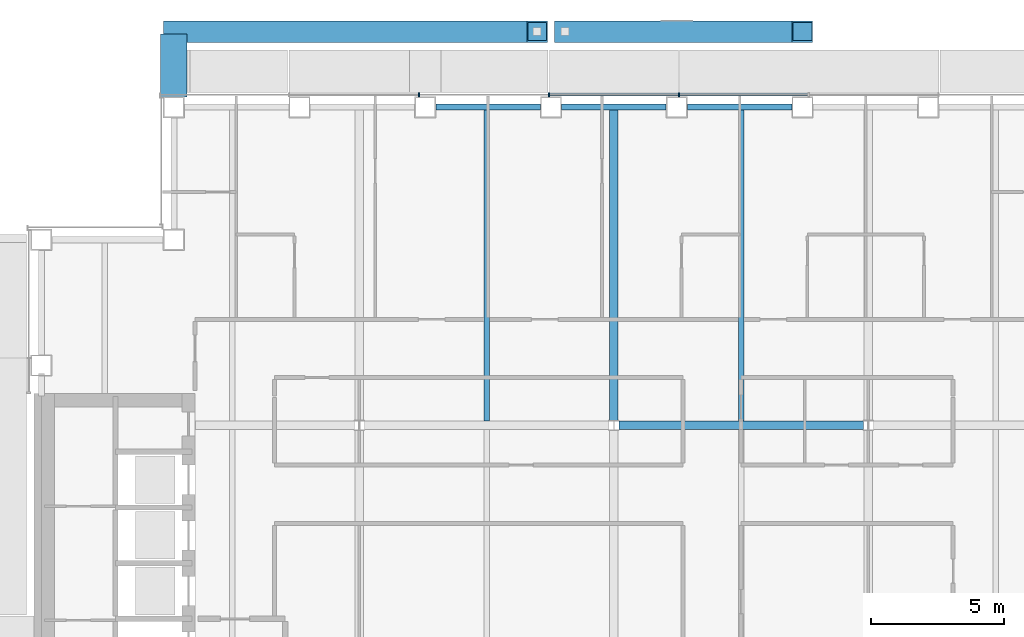
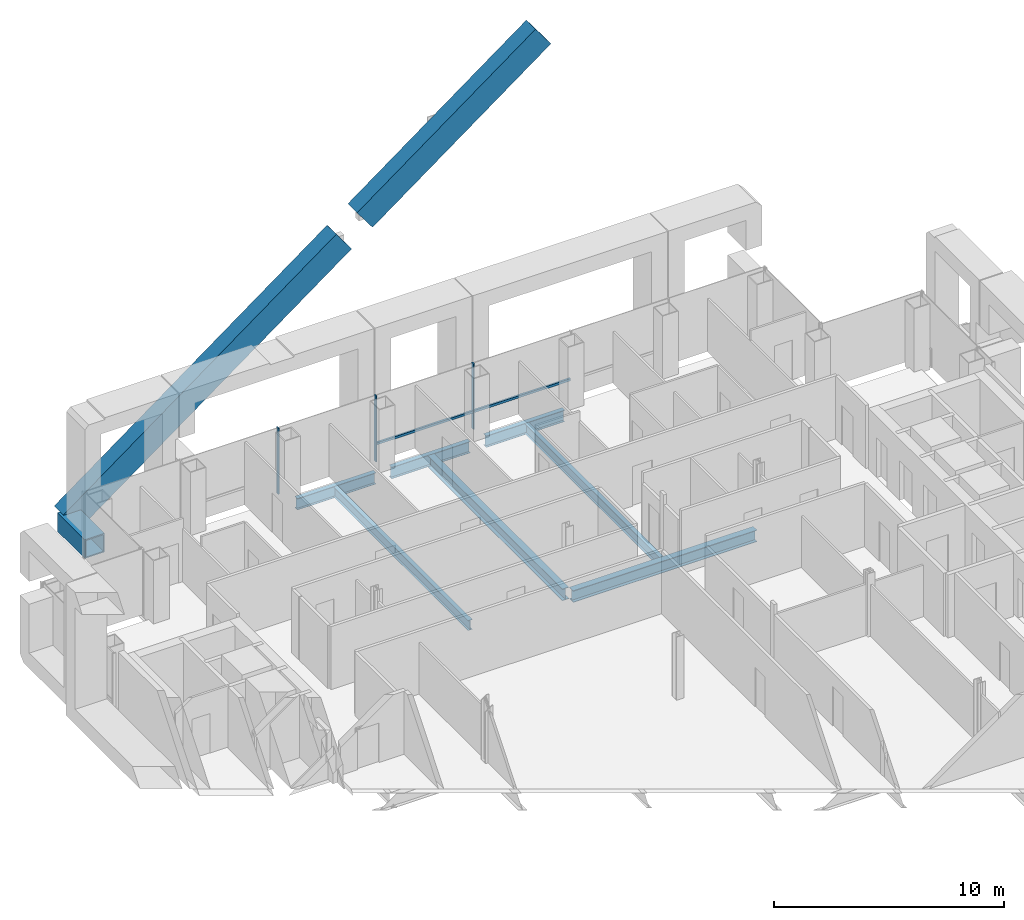
# One storey, part 9 of 22: 8 beams, 7 members, 1 element without a shape of its own.
"""IFC4 building model written with IfcOpenShell, lengths in metres."""

from ifc_helpers import new_model, si_unit, direction, frame, origin, origin_2d, place, context, subcontext, project, spatial, rectangle, hollow_rectangle, i_section, extrude, material, material_profile, profile_set, type_object, element, aggregate, save


model = new_model("IFC4")

# Units and contexts
model_context = context("Model", 3, precision=1e-05, world=origin(), true_north=direction((0.0, 1.0)))
body_context = subcontext(model_context, "Body", "Model", "MODEL_VIEW")
ifc_project = project(units=[si_unit("LENGTHUNIT", "METRE"), si_unit("AREAUNIT", "SQUARE_METRE"), si_unit("VOLUMEUNIT", "CUBIC_METRE"), si_unit("PLANEANGLEUNIT", "RADIAN"), si_unit("MASSUNIT", "GRAM", prefix="KILO")], contexts=[model_context])

# Site, building, storey
site_placement = place(None, origin())
site = spatial("IfcSite", under=ifc_project, at=site_placement, CompositionType="ELEMENT")
building_placement = place(site_placement, origin())
building = spatial("IfcBuilding", under=site, at=building_placement, Name="Cobrizo Arcos Hotel Tower", CompositionType="ELEMENT")
storey_placement = place(building_placement, frame((0.0, 0.0, 162.0)))
storey = spatial("IfcBuildingStorey", under=building, at=storey_placement, Name="L41", CompositionType="ELEMENT", Elevation=162.0)

# Beam
ifc_material_1 = material(Name="Steel ASTM A572 Grade 50", Category="steel")
ifc_material_profile_1 = material_profile(ifc_material_1, hollow_rectangle(XDim=1.0, YDim=1.0, WallThickness=0.06005859375, at=origin_2d()), Name="BOX 1000X1000X60")
ifc_profile_set_1 = profile_set([ifc_material_profile_1], Name="Steel ASTM A572 Grade 50")
beam_type_1 = type_object("IfcBeamType", Name="BOX 1000X1000X60 brace connector strut", PredefinedType="BEAM", material=ifc_profile_set_1)
beam_1_placement = place(storey_placement, frame((-16.60009765625, 21.989990234375, 0.5), z_axis=(0.0, 1.0, 0.0), x_axis=(-1.0, 0.0, 0.0)))
element("IfcBeam", 1, at=beam_1_placement, inside=storey, type_object=beam_type_1, Name="Perimeter brace stub BS1, zone Z3, north face, offset -16.60 m, L41", PredefinedType="BEAM", context=body_context, shape_type="SweptSolid", body=[
    extrude(hollow_rectangle(XDim=1.0, YDim=1.0, WallThickness=0.06005859375, at=origin_2d()), origin(), (0.0, 0.0, 1.0), 2.380126953125),
])

# Members
ifc_material_profile_2 = material_profile(ifc_material_1, hollow_rectangle(XDim=0.800048828125, YDim=1.300048828125, WallThickness=0.06005859375, at=origin_2d()), Name="BOX 800X1300X60")
ifc_profile_set_2 = profile_set([ifc_material_profile_2], Name="Steel ASTM A572 Grade 50")
member_type_1 = type_object("IfcMemberType", Name="BOX 800X1300X60 perimeter brace", PredefinedType="BRACE", material=ifc_profile_set_2)
member_1_placement = place(storey_placement, frame((-16.60009765625, 24.449951171875, 0.5), z_axis=(0.804630166974, 0.0, 0.593776299961), x_axis=(0.0, 1.0, 0.0)))
element("IfcMember", 2, at=member_1_placement, inside=storey, type_object=member_type_1, Name="Perimeter brace PBR3, zone Z3, north face, no. 09", PredefinedType="BRACE", context=body_context, shape_type="SweptSolid", body=[
    extrude(hollow_rectangle(XDim=0.800048828125, YDim=1.300048828125, WallThickness=0.06005859375, at=origin_2d()), origin(), (0.0, 0.0, 1.0), 17.033447265625),
])
member_2_placement = place(storey_placement, frame((-1.84814453125, 24.449951171875, 11.385986328125), z_axis=(0.804620954099, 0.0, 0.593788784186), x_axis=(0.0, 1.0, 0.0)))
element("IfcMember", 3, at=member_2_placement, inside=storey, type_object=member_type_1, Name="Perimeter brace PBR3, zone Z3, north face, no. 09b", PredefinedType="BRACE", context=body_context, shape_type="SweptSolid", body=[
    extrude(hollow_rectangle(XDim=0.800048828125, YDim=1.300048828125, WallThickness=0.06005859375, at=origin_2d()), origin(), (0.0, 0.0, 1.0), 11.138671875),
])

# Curtain wall, members
ifc_material_2 = material(Name="Aluminium 6063-T6 anodised bronze", Category="aluminium")
curtain_wall_type = type_object("IfcCurtainWallType", Name="CW-A guest facade", PredefinedType="NOTDEFINED", material=ifc_material_2)
curtain_wall_placement = place(storey_placement, origin())
curtain_wall = element("IfcCurtainWall", 4, at=curtain_wall_placement, inside=storey, type_object=curtain_wall_type, Name="CW-A L41 N face", PredefinedType="NOTDEFINED")
ifc_material_profile_3 = material_profile(ifc_material_2, rectangle(XDim=0.14990234375, YDim=0.06005859375, at=origin_2d()), Name="CW-A mullion 150x60")
ifc_profile_set_3 = profile_set([ifc_material_profile_3], Name="Aluminium 6063-T6 anodised bronze")
member_type_2 = type_object("IfcMemberType", Name="CW-A mullion 150x60", PredefinedType="MULLION", material=ifc_profile_set_3)
member_3_placement = place(storey_placement, frame((2.449951171875, 22.074951171875, 0.0), z_axis=(0.0, 0.0, 1.0), x_axis=(0.0, 1.0, 0.0)))
member_3 = element("IfcMember", 5, at=member_3_placement, type_object=member_type_2, Name="CW-A mullion 4", PredefinedType="MULLION", context=body_context, shape_type="SweptSolid", body=[
    extrude(rectangle(XDim=0.14990234375, YDim=0.06005859375, at=origin_2d()), origin(), (0.0, 0.0, 1.0), 3.5),
])
member_4_placement = place(storey_placement, frame((-2.449951171875, 22.074951171875, 0.0), z_axis=(0.0, 0.0, 1.0), x_axis=(0.0, 1.0, 0.0)))
member_4 = element("IfcMember", 6, at=member_4_placement, type_object=member_type_2, Name="CW-A mullion 5", PredefinedType="MULLION", context=body_context, shape_type="SweptSolid", body=[
    extrude(rectangle(XDim=0.14990234375, YDim=0.06005859375, at=origin_2d()), origin(), (0.0, 0.0, 1.0), 3.5),
])
member_5_placement = place(storey_placement, frame((-7.35009765625, 22.074951171875, 0.0), z_axis=(0.0, 0.0, 1.0), x_axis=(0.0, 1.0, 0.0)))
member_5 = element("IfcMember", 7, at=member_5_placement, type_object=member_type_2, Name="CW-A mullion 6", PredefinedType="MULLION", context=body_context, shape_type="SweptSolid", body=[
    extrude(rectangle(XDim=0.14990234375, YDim=0.06005859375, at=origin_2d()), origin(), (0.0, 0.0, 1.0), 3.5),
])
ifc_material_profile_4 = material_profile(ifc_material_2, rectangle(XDim=0.10009765625, YDim=0.1201171875, at=origin_2d()), Name="CW-A transom 120x100")
ifc_profile_set_4 = profile_set([ifc_material_profile_4], Name="Aluminium 6063-T6 anodised bronze")
member_type_3 = type_object("IfcMemberType", Name="CW-A transom 120x100", PredefinedType="USERDEFINED", material=ifc_profile_set_4)
member_6_placement = place(storey_placement, frame((7.320068359375, 22.074951171875, 0.929931640625), z_axis=(-1.0, 0.0, 0.0), x_axis=(0.0, -1.0, 0.0)))
member_6 = element("IfcMember", 8, at=member_6_placement, type_object=member_type_3, Name="CW-A transom 1473", ObjectType="TRANSOM", PredefinedType="USERDEFINED", context=body_context, shape_type="SweptSolid", body=[
    extrude(rectangle(XDim=0.10009765625, YDim=0.1201171875, at=origin_2d()), origin(), (0.0, 0.0, 1.0), 4.840087890625),
])
member_7_placement = place(storey_placement, frame((2.419921875, 22.074951171875, 0.929931640625), z_axis=(-1.0, 0.0, 0.0), x_axis=(0.0, -1.0, 0.0)))
member_7 = element("IfcMember", 9, at=member_7_placement, type_object=member_type_3, Name="CW-A transom 1474", ObjectType="TRANSOM", PredefinedType="USERDEFINED", context=body_context, shape_type="SweptSolid", body=[
    extrude(rectangle(XDim=0.10009765625, YDim=0.1201171875, at=origin_2d()), origin(), (0.0, 0.0, 1.0), 4.83984375),
])
aggregate(curtain_wall, [member_3, member_4, member_5, member_6, member_7])

# Beams
ifc_material_3 = material(Name="Steel ASTM A992 Grade 50", Category="steel")
ifc_material_profile_5 = material_profile(ifc_material_3, i_section(OverallWidth=0.209228515625, OverallDepth=0.533447265625, WebThickness=0.01025390625, FlangeThickness=0.015625, at=origin_2d()), Name="W21X62")
ifc_profile_set_5 = profile_set([ifc_material_profile_5], Name="Steel ASTM A992 Grade 50")
beam_type_2 = type_object("IfcBeamType", Name="W21X62 joist", PredefinedType="JOIST", material=ifc_profile_set_5)
for number, where, z_axis, x_axis, name in (
    (10, (-4.800048828125, 9.763916015625, -0.416748046875), (0.0, 1.0, 0.0), (-1.0, 0.0, 0.0), "Floor joist J1, L41, no. 010"),
    (11, (4.800048828125, 9.763916015625, -0.416748046875), (0.0, 1.0, 0.0), (-1.0, 0.0, 0.0), "Floor joist J1, L41, no. 014"),
):
    element("IfcBeam", number, at=place(storey_placement, frame(where, z_axis=z_axis, x_axis=x_axis)), inside=storey, type_object=beam_type_2, Name=name, PredefinedType="JOIST", context=body_context, shape_type="SweptSolid", body=[
        extrude(i_section(OverallWidth=0.209228515625, OverallDepth=0.533447265625, WebThickness=0.01025390625, FlangeThickness=0.015625, at=origin_2d()), origin(), (0.0, 0.0, 1.0), 11.74609375),
    ])
ifc_material_profile_6 = material_profile(ifc_material_3, i_section(OverallWidth=0.32763671875, OverallDepth=0.622314453125, WebThickness=0.015380859375, FlangeThickness=0.0244140625, at=origin_2d()), Name="W24X131")
ifc_profile_set_6 = profile_set([ifc_material_profile_6], Name="Steel ASTM A992 Grade 50")
beam_type_3 = type_object("IfcBeamType", Name="W24X131 girder", PredefinedType="BEAM", material=ifc_profile_set_6)
beam_2_placement = place(storey_placement, frame((0.186767578125, 9.60009765625, -0.461181640625), z_axis=(1.0, 0.0, 0.0), x_axis=(0.0, 1.0, 0.0)))
element("IfcBeam", 12, at=beam_2_placement, inside=storey, type_object=beam_type_3, Name="Floor girder G1, L41, no. 011", PredefinedType="BEAM", context=body_context, shape_type="SweptSolid", body=[
    extrude(i_section(OverallWidth=0.32763671875, OverallDepth=0.622314453125, WebThickness=0.015380859375, FlangeThickness=0.0244140625, at=origin_2d()), origin(), (0.0, 0.0, 1.0), 9.2265625),
])
beam_3_placement = place(storey_placement, frame((0.0, 9.78662109375, -0.461181640625), z_axis=(0.0, 1.0, 0.0), x_axis=(-1.0, 0.0, 0.0)))
element("IfcBeam", 13, at=beam_3_placement, inside=storey, type_object=beam_type_3, Name="Floor girder G1, L41, no. 020", PredefinedType="BEAM", context=body_context, shape_type="SweptSolid", body=[
    extrude(i_section(OverallWidth=0.32763671875, OverallDepth=0.622314453125, WebThickness=0.015380859375, FlangeThickness=0.0244140625, at=origin_2d()), origin(), (0.0, 0.0, 1.0), 11.723388671875),
])
ifc_material_profile_7 = material_profile(ifc_material_3, i_section(OverallWidth=0.228271484375, OverallDepth=0.607177734375, WebThickness=0.01123046875, FlangeThickness=0.017333984375, at=origin_2d()), Name="W24X76")
ifc_profile_set_7 = profile_set([ifc_material_profile_7], Name="Steel ASTM A992 Grade 50")
beam_type_4 = type_object("IfcBeamType", Name="W24X76 spandrel", PredefinedType="SPANDREL", material=ifc_profile_set_7)
beam_4_placement = place(storey_placement, frame((6.714111328125, 21.60009765625, -0.45361328125), z_axis=(-1.0, 0.0, 0.0), x_axis=(0.0, -1.0, 0.0)))
element("IfcBeam", 14, at=beam_4_placement, inside=storey, type_object=beam_type_4, Name="Spandrel beam W24X76, L41, no. 018", PredefinedType="SPANDREL", context=body_context, shape_type="SweptSolid", body=[
    extrude(i_section(OverallWidth=0.228271484375, OverallDepth=0.607177734375, WebThickness=0.01123046875, FlangeThickness=0.017333984375, at=origin_2d()), origin(), (0.0, 0.0, 1.0), 3.943115234375),
])
beam_5_placement = place(storey_placement, frame((1.970947265625, 21.60009765625, -0.45361328125), z_axis=(-1.0, 0.0, 0.0), x_axis=(0.0, -1.0, 0.0)))
element("IfcBeam", 15, at=beam_5_placement, inside=storey, type_object=beam_type_4, Name="Spandrel beam W24X76, L41, no. 019", PredefinedType="SPANDREL", context=body_context, shape_type="SweptSolid", body=[
    extrude(i_section(OverallWidth=0.228271484375, OverallDepth=0.607177734375, WebThickness=0.01123046875, FlangeThickness=0.017333984375, at=origin_2d()), origin(), (0.0, 0.0, 1.0), 3.94189453125),
])
beam_6_placement = place(storey_placement, frame((-2.77099609375, 21.60009765625, -0.45361328125), z_axis=(-1.0, 0.0, 0.0), x_axis=(0.0, -1.0, 0.0)))
element("IfcBeam", 16, at=beam_6_placement, inside=storey, type_object=beam_type_4, Name="Spandrel beam W24X76, L41, no. 020", PredefinedType="SPANDREL", context=body_context, shape_type="SweptSolid", body=[
    extrude(i_section(OverallWidth=0.228271484375, OverallDepth=0.607177734375, WebThickness=0.01123046875, FlangeThickness=0.017333984375, at=origin_2d()), origin(), (0.0, 0.0, 1.0), 3.943115234375),
])

save(model, "model.ifc")
